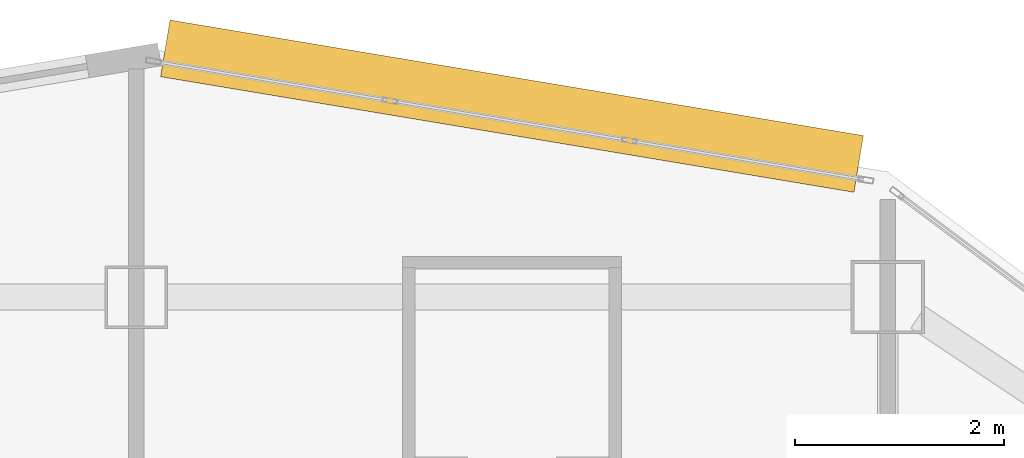
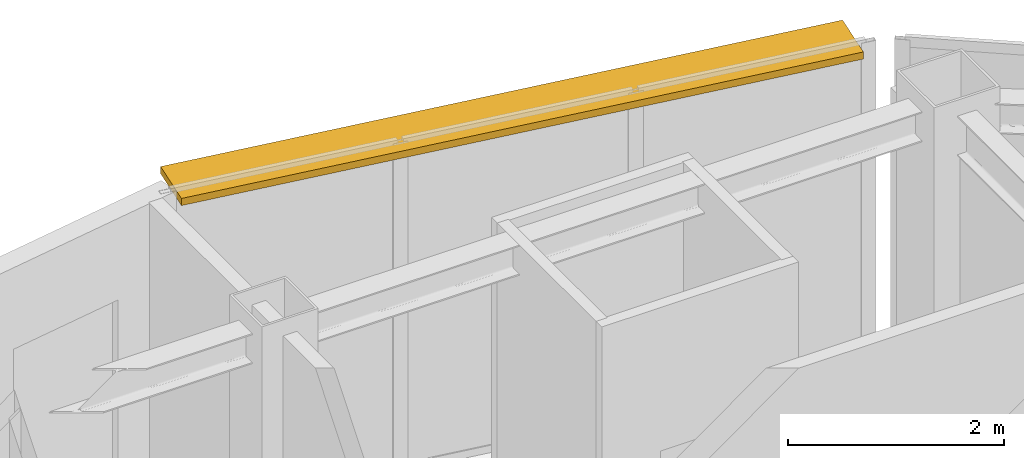
# One storey, part 10 of 10: 1 shading device.
"""IFC4 building model written with IfcOpenShell, lengths in metres."""

from ifc_helpers import new_model, si_unit, direction, frame, origin, origin_2d, place, context, subcontext, project, spatial, rectangle, extrude, material, layer, layer_set, type_object, element, save


model = new_model("IFC4")

# Units and contexts
model_context = context("Model", 3, precision=1e-05, world=origin(), true_north=direction((0.0, 1.0)))
body_context = subcontext(model_context, "Body", "Model", "MODEL_VIEW")
ifc_project = project(units=[si_unit("LENGTHUNIT", "METRE"), si_unit("AREAUNIT", "SQUARE_METRE"), si_unit("VOLUMEUNIT", "CUBIC_METRE"), si_unit("PLANEANGLEUNIT", "RADIAN"), si_unit("MASSUNIT", "GRAM", prefix="KILO")], contexts=[model_context])

# Site, building, storey
site_placement = place(None, origin())
site = spatial("IfcSite", under=ifc_project, at=site_placement, CompositionType="ELEMENT")
building_placement = place(site_placement, origin())
building = spatial("IfcBuilding", under=site, at=building_placement, Name="Haolan Belvedere Tower", CompositionType="ELEMENT")
storey_placement = place(building_placement, frame((0.0, 0.0, 286.10009765625)))
storey = spatial("IfcBuildingStorey", under=building, at=storey_placement, Name="L72", CompositionType="ELEMENT", Elevation=286.10009765625)

# Shading device
ifc_material = material(Name="Anodised champagne-silver aluminium 6063-T6", Category="aluminium")
ifc_layer = layer(ifc_material, 0.080078125, Name="Anodised champagne-silver aluminium 6063-T6")
ifc_layer_set = layer_set([ifc_layer], Name="Anodised champagne-silver aluminium 6063-T6")
shading_device_type = type_object("IfcShadingDeviceType", Name="SHD-SUN-550", PredefinedType="USERDEFINED", material=ifc_layer_set)
shading_device_placement = place(storey_placement, frame((42.000732421875, 52.230224609375, 3.619873046875), z_axis=(0.0, 0.0, 1.0), x_axis=(-0.986391978972, 0.16441065604, 0.0)))
element("IfcShadingDevice", 1, at=shading_device_placement, inside=storey, type_object=shading_device_type, Name="L72 pale-metal horizontal SUNSHADE band 9.1", ObjectType="SUNSHADE", PredefinedType="USERDEFINED", context=body_context, shape_type="SweptSolid", body=[
    extrude(rectangle(XDim=6.734130859375, YDim=0.550048828125, at=origin_2d()), origin(), (0.0, 0.0, 1.0), 0.080078125),
])

save(model, "model.ifc")
